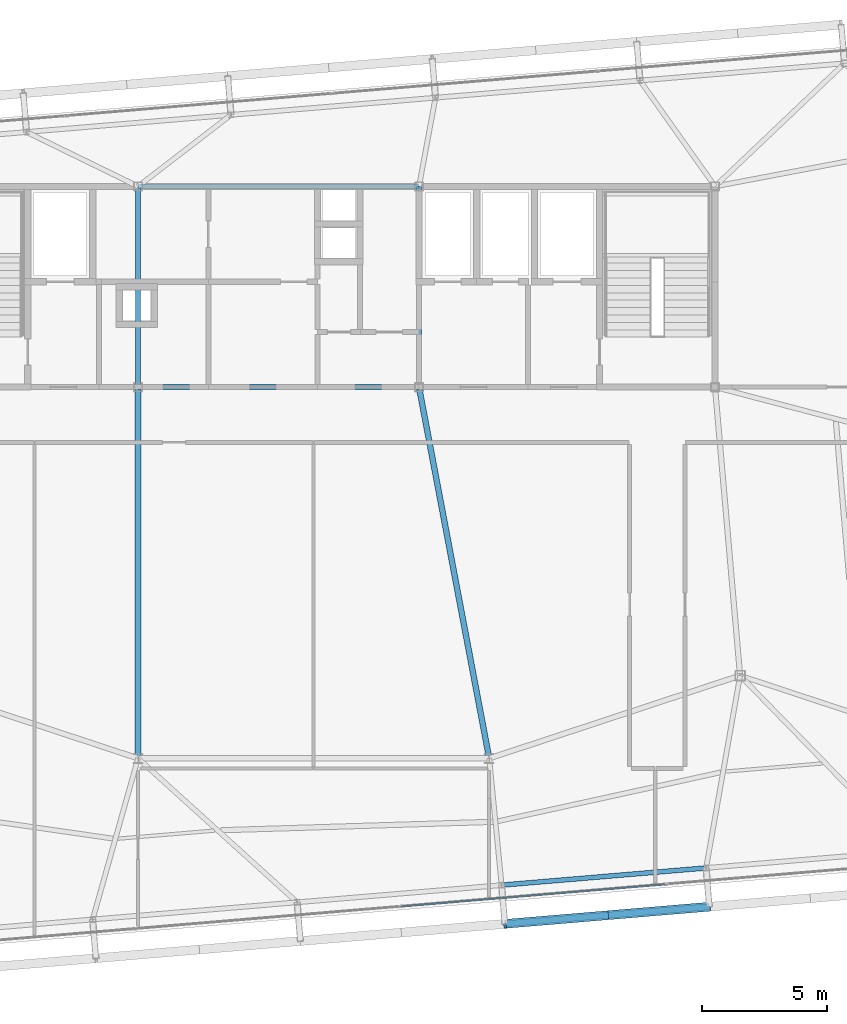
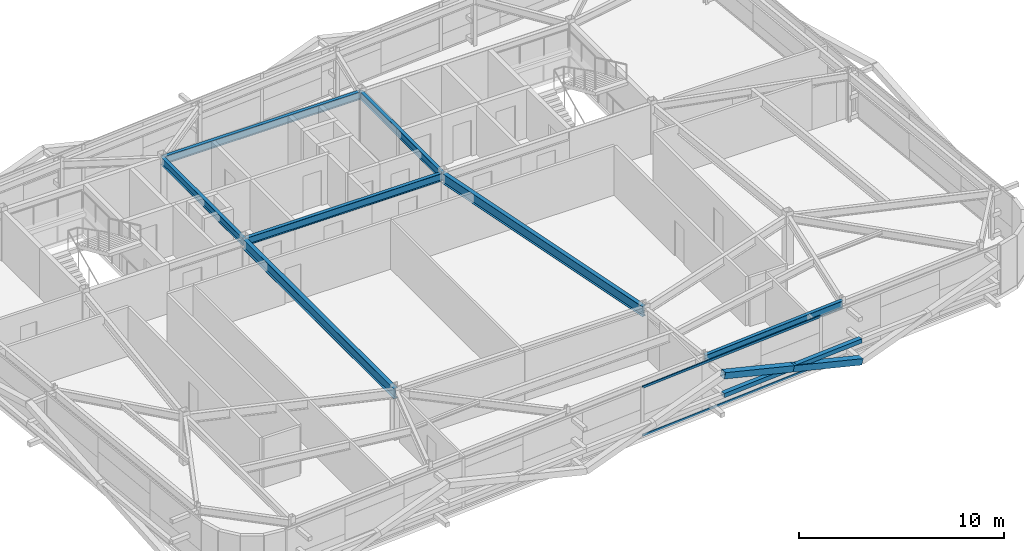
# One storey, part 15 of 39: 7 beams, 5 members, 1 element without a shape of its own.
"""IFC4 building model written with IfcOpenShell, lengths in metres."""

from ifc_helpers import new_model, si_unit, direction, frame, origin, origin_2d, place, context, subcontext, project, spatial, hollow_rectangle, i_section, extrude, source, transform, mapped, material, layer, layer_set, material_profile, profile_set, type_object, element, aggregate, save


model = new_model("IFC4")

# Units and contexts
model_context = context("Model", 3, precision=1e-05, world=origin(), true_north=direction((0.0, 1.0)))
body_context = subcontext(model_context, "Body", "Model", "MODEL_VIEW")
ifc_project = project(units=[si_unit("LENGTHUNIT", "METRE"), si_unit("AREAUNIT", "SQUARE_METRE"), si_unit("VOLUMEUNIT", "CUBIC_METRE"), si_unit("PLANEANGLEUNIT", "RADIAN"), si_unit("MASSUNIT", "GRAM", prefix="KILO")], contexts=[model_context])

# Site, building, storey
site_placement = place(None, origin())
site = spatial("IfcSite", under=ifc_project, at=site_placement, CompositionType="ELEMENT")
building_placement = place(site_placement, origin())
building = spatial("IfcBuilding", under=site, at=building_placement, Name="Taldren Reach Tower", CompositionType="ELEMENT")
storey_placement = place(building_placement, frame((0.0, 0.0, 197.75)))
storey = spatial("IfcBuildingStorey", under=building, at=storey_placement, Name="L60", CompositionType="ELEMENT", Elevation=197.75)

# Beams
ifc_material_1 = material(Name="Steel Gr 350 (350PLUS)", Category="steel")
ifc_material_profile_1 = material_profile(ifc_material_1, i_section(OverallWidth=0.19091796875, OverallDepth=0.4599609375, WebThickness=0.010009765625, FlangeThickness=0.01611328125, at=origin_2d()), Name="460UB82.1")
ifc_profile_set_1 = profile_set([ifc_material_profile_1], Name="Steel Gr 350 (350PLUS)")
beam_type_1 = type_object("IfcBeamType", Name="BM-UB460A", PredefinedType="BEAM", material=ifc_profile_set_1)
shared_shape_1 = source(origin(), body_context, "Body", "SweptSolid", [
    extrude(i_section(OverallWidth=0.19091796875, OverallDepth=0.4599609375, WebThickness=0.010009765625, FlangeThickness=0.01611328125, at=origin_2d()), origin(), (0.0, 0.0, 1.0), 11.199951171875),
])
for number, where, z_axis, x_axis, name in (
    (1, (28.0, 24.0, 2.699951171875), (1.0, 0.0, 0.0), (0.0, 1.0, 0.0), "Core-spine girder L60-SP02"),
    (2, (28.0, 32.0, 2.699951171875), (1.0, 0.0, 0.0), (0.0, 1.0, 0.0), "Core-spine girder L60-SP05"),
):
    element("IfcBeam", number, at=place(storey_placement, frame(where, z_axis=z_axis, x_axis=x_axis)), inside=storey, type_object=beam_type_1, Name=name, PredefinedType="BEAM", context=body_context, shape_type="MappedRepresentation", body=[
        mapped(shared_shape_1, transform((0.0, 0.0, 0.0), scale=1.0)),
    ])
shared_shape_2 = source(origin(), body_context, "Body", "SweptSolid", [
    extrude(i_section(OverallWidth=0.19091796875, OverallDepth=0.4599609375, WebThickness=0.010009765625, FlangeThickness=0.01611328125, at=origin_2d()), origin(), (0.0, 0.0, 1.0), 8.0),
])
for number, where, z_axis, x_axis, name in (
    (3, (28.0, 24.0, 2.699951171875), (0.0, 1.0, 0.0), (-1.0, 0.0, 0.0), "Core-spine girder L60-SP07"),
    (4, (39.199951171875, 24.0, 2.699951171875), (0.0, 1.0, 0.0), (-1.0, 0.0, 0.0), "Core-spine girder L60-SP08"),
):
    element("IfcBeam", number, at=place(storey_placement, frame(where, z_axis=z_axis, x_axis=x_axis)), inside=storey, type_object=beam_type_1, Name=name, PredefinedType="BEAM", context=body_context, shape_type="MappedRepresentation", body=[
        mapped(shared_shape_2, transform((0.0, 0.0, 0.0), scale=1.0)),
    ])
ifc_material_profile_2 = material_profile(ifc_material_1, i_section(OverallWidth=0.22802734375, OverallDepth=0.60205078125, WebThickness=0.010498046875, FlangeThickness=0.014892578125, at=origin_2d()), Name="610UB101")
ifc_profile_set_2 = profile_set([ifc_material_profile_2], Name="Steel Gr 350 (350PLUS)")
beam_type_2 = type_object("IfcBeamType", Name="BM-UB610B", PredefinedType="BEAM", material=ifc_profile_set_2)
shared_shape_3 = source(origin(), body_context, "Body", "SweptSolid", [
    extrude(i_section(OverallWidth=0.22802734375, OverallDepth=0.60205078125, WebThickness=0.010498046875, FlangeThickness=0.014892578125, at=origin_2d()), origin(), (0.0, 0.0, 1.0), 14.800048828125),
])
beam_1_placement = place(storey_placement, frame((28.0, 24.0, 2.62890625), z_axis=(0.0, -1.0, 0.0), x_axis=(1.0, 0.0, 0.0)))
element("IfcBeam", 5, at=beam_1_placement, inside=storey, type_object=beam_type_2, Name="Core-spine girder L60-SP14", PredefinedType="BEAM", context=body_context, shape_type="MappedRepresentation", body=[
    mapped(shared_shape_3, transform((0.0, 0.0, 0.0), scale=1.0)),
])
shared_shape_4 = source(origin(), body_context, "Body", "SweptSolid", [
    extrude(i_section(OverallWidth=0.22802734375, OverallDepth=0.60205078125, WebThickness=0.010498046875, FlangeThickness=0.014892578125, at=origin_2d()), origin(), (0.0, 0.0, 1.0), 15.0625),
])
beam_2_placement = place(storey_placement, frame((39.199951171875, 24.0, 2.62890625), z_axis=(0.185894205668, -0.982569765614, 0.0), x_axis=(0.982569765614, 0.185894205668, 0.0)))
element("IfcBeam", 6, at=beam_2_placement, inside=storey, type_object=beam_type_2, Name="Core-spine girder L60-SP15", PredefinedType="BEAM", context=body_context, shape_type="MappedRepresentation", body=[
    mapped(shared_shape_4, transform((0.0, 0.0, 0.0), scale=1.0)),
])
ifc_material_profile_3 = material_profile(ifc_material_1, i_section(OverallWidth=0.18994140625, OverallDepth=0.4541015625, WebThickness=0.008544921875, FlangeThickness=0.0126953125, at=origin_2d()), Name="460UB67.1")
ifc_profile_set_3 = profile_set([ifc_material_profile_3], Name="Steel Gr 350 (350PLUS)")
beam_type_3 = type_object("IfcBeamType", Name="SP-UB460B", PredefinedType="SPANDREL", material=ifc_profile_set_3)
shared_shape_5 = source(origin(), body_context, "Body", "SweptSolid", [
    extrude(i_section(OverallWidth=0.18994140625, OverallDepth=0.4541015625, WebThickness=0.008544921875, FlangeThickness=0.0126953125, at=origin_2d()), origin(), (0.0, 0.0, 1.0), 8.179931640625),
])
beam_3_placement = place(storey_placement, frame((42.49365234375, 4.1474609375, 2.702880859375), z_axis=(0.99649182565, 0.08369015123, 0.0), x_axis=(-0.08369015123, 0.99649182565, 0.0)))
element("IfcBeam", 7, at=beam_3_placement, inside=storey, type_object=beam_type_3, Name="Perimeter spandrel B4 S4-S5 L60", PredefinedType="SPANDREL", context=body_context, shape_type="MappedRepresentation", body=[
    mapped(shared_shape_5, transform((0.0, 0.0, 0.0), scale=1.0)),
])

# Members
ifc_material_2 = material(Name="Steel Gr 350 (C350L0)", Category="steel")
ifc_material_profile_4 = material_profile(ifc_material_2, hollow_rectangle(XDim=0.25, YDim=0.25, WallThickness=0.010009765625, at=origin_2d()), Name="250x250x10.0SHS")
ifc_profile_set_4 = profile_set([ifc_material_profile_4], Name="Steel Gr 350 (C350L0)")
member_type_1 = type_object("IfcMemberType", Name="MB-POST250", PredefinedType="POST", material=ifc_profile_set_4)
shared_shape_6 = source(origin(), body_context, "Body", "SweptSolid", [
    extrude(hollow_rectangle(XDim=0.25, YDim=0.25, WallThickness=0.010009765625, at=origin_2d()), origin(), (0.0, 0.0, 1.0), 8.179931640625),
])
member_1_placement = place(storey_placement, frame((42.623291015625, 2.60302734375, 1.43505859375), z_axis=(0.996494523218, 0.083658025296, 0.0), x_axis=(-0.083658025296, 0.996494523218, 0.0)))
element("IfcMember", 8, at=member_1_placement, inside=storey, type_object=member_type_1, Name="Exoskeleton mid-height ring chord B4-S4 L60", PredefinedType="POST", context=body_context, shape_type="MappedRepresentation", body=[
    mapped(shared_shape_6, transform((0.0, 0.0, 0.0), scale=1.0)),
])
ifc_material_3 = material(Name="Steel Gr 450 (C450L0)", Category="steel")
ifc_material_profile_5 = material_profile(ifc_material_3, hollow_rectangle(XDim=0.360107421875, YDim=0.360107421875, WallThickness=0.0126953125, at=origin_2d()), Name="360x360x12.7SHS")
ifc_profile_set_5 = profile_set([ifc_material_profile_5], Name="Steel Gr 450 (C450L0)")
member_type_2 = type_object("IfcMemberType", Name="MB-EXO356", PredefinedType="BRACE", material=ifc_profile_set_5)
shared_shape_7 = source(origin(), body_context, "Body", "SweptSolid", [
    extrude(hollow_rectangle(XDim=0.360107421875, YDim=0.360107421875, WallThickness=0.0126953125, at=origin_2d()), origin(), (0.0, 0.0, 1.0), 4.2666015625),
])
for number, where, z_axis, x_axis, name in (
    (9, (50.774658203125, 3.287353515625, 0.219970703125), (-0.955229159097, -0.080222312271, 0.284783486572), (0.083687662192, -0.996492034688, 0.0), "Exoskeleton Diagrid Brace B4-S4 L60"),
    (10, (46.698974609375, 2.945068359375, 1.43505859375), (-0.955249107127, -0.080166766448, 0.284732212595), (0.083628388178, -0.996497010879, 0.0), "Exoskeleton Diagrid Brace B4-S4 L60"),
):
    element("IfcMember", number, at=place(storey_placement, frame(where, z_axis=z_axis, x_axis=x_axis)), inside=storey, type_object=member_type_2, Name=name, PredefinedType="BRACE", context=body_context, shape_type="MappedRepresentation", body=[
        mapped(shared_shape_7, transform((0.0, 0.0, 0.0), scale=1.0)),
    ])

# Curtain wall, members
ifc_material_4 = material(Name="Aluminium and Low-E Glass Unitised System", Category="aluminium")
ifc_layer = layer(ifc_material_4, 0.159912109375)
ifc_layer_set = layer_set([ifc_layer], Name="Aluminium and Low-E Glass Unitised System")
curtain_wall_type = type_object("IfcCurtainWallType", Name="CW-SYS-5", PredefinedType="NOTDEFINED", material=ifc_layer_set)
curtain_wall_placement = place(storey_placement, origin())
curtain_wall = element("IfcCurtainWall", 11, at=curtain_wall_placement, inside=storey, type_object=curtain_wall_type, Name="Unitised curtain wall CW-L60-S", PredefinedType="NOTDEFINED")
ifc_material_5 = material(Name="Anodised Aluminium 6063-T6", Category="aluminium")
ifc_material_profile_6 = material_profile(ifc_material_5, hollow_rectangle(XDim=0.06005859375, YDim=0.135009765625, WallThickness=0.00341796875, at=origin_2d()), Name="ALU-135x60x3.5RHS")
ifc_profile_set_6 = profile_set([ifc_material_profile_6], Name="Anodised Aluminium 6063-T6")
member_type_3 = type_object("IfcMemberType", Name="CW-TRN-150", PredefinedType="USERDEFINED", material=ifc_profile_set_6)
shared_shape_8 = source(origin(), body_context, "Body", "SweptSolid", [
    extrude(hollow_rectangle(XDim=0.06005859375, YDim=0.135009765625, WallThickness=0.00341796875, at=origin_2d()), origin(), (0.0, 0.0, 1.0), 10.55517578125),
])
member_2_placement = place(storey_placement, frame((38.495361328125, 3.300048828125, 0.030029296875), z_axis=(0.996494202684, 0.083661843255, 0.0), x_axis=(-0.083661843255, 0.996494202684, 0.0)))
member_2 = element("IfcMember", 12, at=member_2_placement, type_object=member_type_3, Name="CW-5 transom 3.1", ObjectType="TRANSOM", PredefinedType="USERDEFINED", context=body_context, shape_type="MappedRepresentation", body=[
    mapped(shared_shape_8, transform((0.0, 0.0, 0.0), scale=1.0)),
])
member_3_placement = place(storey_placement, frame((38.495361328125, 3.300048828125, 2.89990234375), z_axis=(0.996494202684, 0.083661843255, 0.0), x_axis=(-0.083661843255, 0.996494202684, 0.0)))
member_3 = element("IfcMember", 13, at=member_3_placement, type_object=member_type_3, Name="CW-5 transom 3.2", ObjectType="TRANSOM", PredefinedType="USERDEFINED", context=body_context, shape_type="MappedRepresentation", body=[
    mapped(shared_shape_8, transform((0.0, 0.0, 0.0), scale=1.0)),
])
aggregate(curtain_wall, [member_2, member_3])

save(model, "model.ifc")
